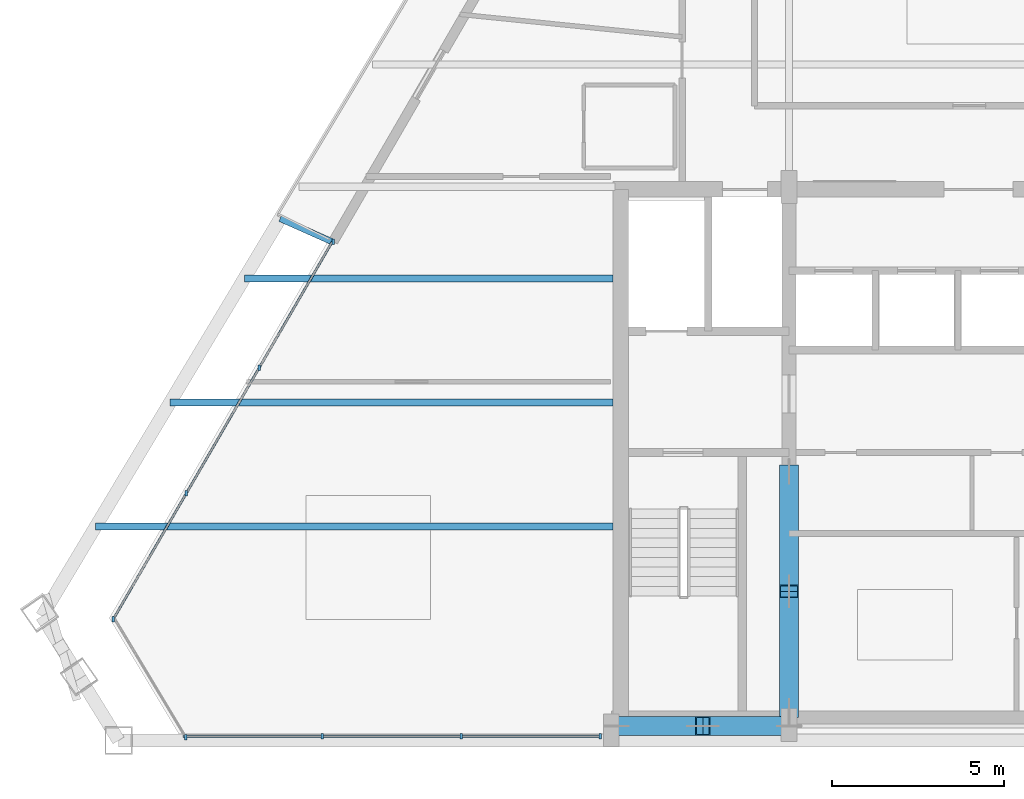
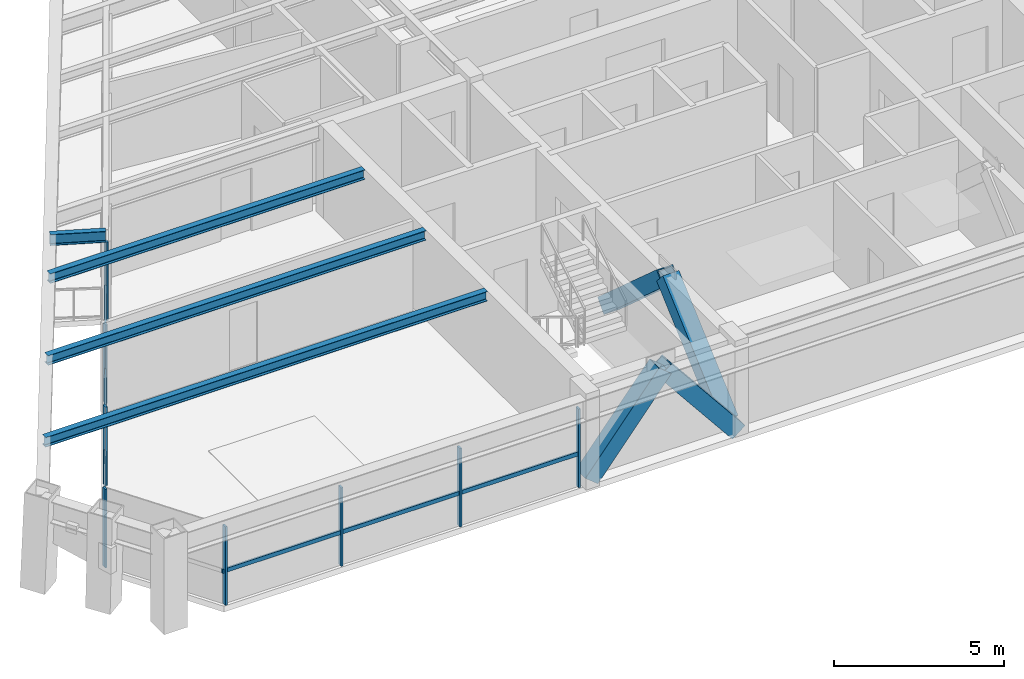
# One storey, part 2 of 13: 18 members, 4 beams, 3 elements without a shape of their own.
"""IFC4 building model written with IfcOpenShell, lengths in metres."""

from ifc_helpers import new_model, si_unit, direction, frame, origin, origin_2d, place, context, subcontext, project, spatial, rectangle, hollow_rectangle, i_section, extrude, source, transform, mapped, material, material_profile, profile_set, type_object, element, aggregate, save


model = new_model("IFC4")

# Units and contexts
model_context = context("Model", 3, precision=1e-05, world=origin(), true_north=direction((0.0, 1.0)))
body_context = subcontext(model_context, "Body", "Model", "MODEL_VIEW")
ifc_project = project(units=[si_unit("LENGTHUNIT", "METRE"), si_unit("AREAUNIT", "SQUARE_METRE"), si_unit("VOLUMEUNIT", "CUBIC_METRE"), si_unit("PLANEANGLEUNIT", "RADIAN"), si_unit("MASSUNIT", "GRAM", prefix="KILO")], contexts=[model_context])

# Site, building, storey
site_placement = place(None, origin())
site = spatial("IfcSite", under=ifc_project, at=site_placement, CompositionType="ELEMENT")
building_placement = place(site_placement, origin())
building = spatial("IfcBuilding", under=site, at=building_placement, Name="Varnakhor Terracotta Tower", CompositionType="ELEMENT")
storey_placement = place(building_placement, frame((0.0, 0.0, 266.10009765625)))
storey = spatial("IfcBuildingStorey", under=building, at=storey_placement, Name="L69", CompositionType="ELEMENT", Elevation=266.10009765625)

# Members
ifc_material_1 = material(Name="Steel S355", Category="steel")
ifc_material_profile_1 = material_profile(ifc_material_1, hollow_rectangle(XDim=0.550048828125, YDim=0.550048828125, WallThickness=0.034912109375, at=origin_2d()), Name="HSS550X550X35")
ifc_profile_set_1 = profile_set([ifc_material_profile_1], Name="Steel S355")
member_type_1 = type_object("IfcMemberType", Name="MBR-MEGA-550", PredefinedType="BRACE", material=ifc_profile_set_1)
shared_shape_1 = source(origin(), body_context, "Body", "SweptSolid", [
    extrude(hollow_rectangle(XDim=0.550048828125, YDim=0.550048828125, WallThickness=0.034912109375, at=origin_2d()), origin(), (0.0, 0.0, 1.0), 4.650146484375),
])
member_1_placement = place(storey_placement, frame((-5.5, 7.800048828125, 0.0), z_axis=(0.0, -0.747316617832, 0.664468112638), x_axis=(1.0, 0.0, 0.0)))
element("IfcMember", 1, at=member_1_placement, inside=storey, type_object=member_type_1, Name="L69 Core Coupled Brace CWWB", PredefinedType="BRACE", context=body_context, shape_type="MappedRepresentation", body=[
    mapped(shared_shape_1, transform((0.0, 0.0, 0.0), scale=1.0)),
])
shared_shape_2 = source(origin(), body_context, "Body", "SweptSolid", [
    extrude(hollow_rectangle(XDim=0.550048828125, YDim=0.550048828125, WallThickness=0.034912109375, at=origin_2d()), origin(), (0.0, 0.0, 1.0), 3.974609375),
])
for number, where, z_axis, x_axis, name in (
    (2, (-10.5, 0.419921875, 0.0), (0.629000299358, 0.0, 0.777405057488), (0.0, 1.0, 0.0), "L69 Core Coupled Brace CSWA"),
    (3, (-5.5, 0.419921875, 0.0), (-0.629000299358, 0.0, 0.777405057488), (0.0, -1.0, 0.0), "L69 Core Coupled Brace CSWB"),
):
    element("IfcMember", number, at=place(storey_placement, frame(where, z_axis=z_axis, x_axis=x_axis)), inside=storey, type_object=member_type_1, Name=name, PredefinedType="BRACE", context=body_context, shape_type="MappedRepresentation", body=[
        mapped(shared_shape_2, transform((0.0, 0.0, 0.0), scale=1.0)),
    ])
shared_shape_3 = source(origin(), body_context, "Body", "SweptSolid", [
    extrude(hollow_rectangle(XDim=0.550048828125, YDim=0.550048828125, WallThickness=0.034912109375, at=origin_2d()), origin(), (0.0, 0.0, 1.0), 4.64990234375),
])
member_2_placement = place(storey_placement, frame((-5.5, 0.85009765625, 0.0), z_axis=(0.0, 0.747293435799, 0.664494184182), x_axis=(-1.0, 0.0, 0.0)))
element("IfcMember", 4, at=member_2_placement, inside=storey, type_object=member_type_1, Name="L69 Core Coupled Brace CWWA", PredefinedType="BRACE", context=body_context, shape_type="MappedRepresentation", body=[
    mapped(shared_shape_3, transform((0.0, 0.0, 0.0), scale=1.0)),
])

# Beams
ifc_material_profile_2 = material_profile(ifc_material_1, i_section(OverallWidth=0.202880859375, OverallDepth=0.346923828125, WebThickness=0.0078125, FlangeThickness=0.013427734375, FilletRadius=0.01806640625, at=origin_2d()), Name="W14X43")
ifc_profile_set_2 = profile_set([ifc_material_profile_2], Name="Steel S355")
beam_type_1 = type_object("IfcBeamType", Name="JST-W14X43", PredefinedType="JOIST", material=ifc_profile_set_2)
shared_shape_4 = source(origin(), body_context, "Body", "SweptSolid", [
    extrude(i_section(OverallWidth=0.202880859375, OverallDepth=0.346923828125, WebThickness=0.0078125, FlangeThickness=0.013427734375, FilletRadius=0.01806640625, at=origin_2d()), origin(), (0.0, 0.0, 1.0), 15.001953125),
])
beam_1_placement = place(storey_placement, frame((-25.60205078125, 6.199951171875, 3.06640625), z_axis=(1.0, 0.0, 0.0), x_axis=(0.0, 1.0, 0.0)))
element("IfcBeam", 5, at=beam_1_placement, inside=storey, type_object=beam_type_1, Name="L69 Floor Joist W1", PredefinedType="JOIST", context=body_context, shape_type="MappedRepresentation", body=[
    mapped(shared_shape_4, transform((0.0, 0.0, 0.0), scale=1.0)),
])
shared_shape_5 = source(origin(), body_context, "Body", "SweptSolid", [
    extrude(i_section(OverallWidth=0.202880859375, OverallDepth=0.346923828125, WebThickness=0.0078125, FlangeThickness=0.013427734375, FilletRadius=0.01806640625, at=origin_2d()), origin(), (0.0, 0.0, 1.0), 12.845703125),
])
beam_2_placement = place(storey_placement, frame((-23.44580078125, 9.800048828125, 3.06640625), z_axis=(1.0, 0.0, 0.0), x_axis=(0.0, 1.0, 0.0)))
element("IfcBeam", 6, at=beam_2_placement, inside=storey, type_object=beam_type_1, Name="L69 Floor Joist W2", PredefinedType="JOIST", context=body_context, shape_type="MappedRepresentation", body=[
    mapped(shared_shape_5, transform((0.0, 0.0, 0.0), scale=1.0)),
])
shared_shape_6 = source(origin(), body_context, "Body", "SweptSolid", [
    extrude(i_section(OverallWidth=0.202880859375, OverallDepth=0.346923828125, WebThickness=0.0078125, FlangeThickness=0.013427734375, FilletRadius=0.01806640625, at=origin_2d()), origin(), (0.0, 0.0, 1.0), 10.689208984375),
])
beam_3_placement = place(storey_placement, frame((-21.289306640625, 13.39990234375, 3.06640625), z_axis=(1.0, 0.0, 0.0), x_axis=(0.0, 1.0, 0.0)))
element("IfcBeam", 7, at=beam_3_placement, inside=storey, type_object=beam_type_1, Name="L69 Floor Joist W3", PredefinedType="JOIST", context=body_context, shape_type="MappedRepresentation", body=[
    mapped(shared_shape_6, transform((0.0, 0.0, 0.0), scale=1.0)),
])

# Curtain wall, members
ifc_material_2 = material(Name="Anodised Aluminium Curtain Wall System", Category="aluminium")
curtain_wall_type = type_object("IfcCurtainWallType", Name="CW-SYS-HOTEL-LOGGIA", PredefinedType="NOTDEFINED", material=ifc_material_2)
curtain_wall_1_placement = place(storey_placement, origin())
curtain_wall_1 = element("IfcCurtainWall", 8, at=curtain_wall_1_placement, inside=storey, type_object=curtain_wall_type, Name="L69 W Facet Curtain Wall 1", PredefinedType="NOTDEFINED")
ifc_material_3 = material(Name="Anodised Aluminium 6063-T6", Category="aluminium")
ifc_material_profile_3 = material_profile(ifc_material_3, rectangle(XDim=0.06494140625, YDim=0.159912109375, at=origin_2d()), Name="ALU MULLION 65x160")
ifc_profile_set_3 = profile_set([ifc_material_profile_3], Name="Anodised Aluminium 6063-T6")
member_type_2 = type_object("IfcMemberType", Name="CWM-04", PredefinedType="MULLION", material=ifc_profile_set_3)
shared_shape_7 = source(origin(), body_context, "Body", "SweptSolid", [
    extrude(rectangle(XDim=0.06494140625, YDim=0.159912109375, at=origin_2d()), origin(), (0.0, 0.0, 1.0), 2.81982421875),
])
member_3_placement = place(storey_placement, frame((-25.088134765625, 3.517822265625, 0.0), z_axis=(0.0, 0.0, 1.0), x_axis=(1.0, 0.0, 0.0)))
member_3 = element("IfcMember", 9, at=member_3_placement, type_object=member_type_2, Name="L69 W Facet Curtain Wall 1 Mullion 1", PredefinedType="MULLION", context=body_context, shape_type="MappedRepresentation", body=[
    mapped(shared_shape_7, transform((0.0, 0.0, 0.0), scale=1.0)),
])
member_4_placement = place(storey_placement, frame((-22.973876953125, 7.161865234375, 0.0), z_axis=(0.0, 0.0, 1.0), x_axis=(1.0, 0.0, 0.0)))
member_4 = element("IfcMember", 10, at=member_4_placement, type_object=member_type_2, Name="L69 W Facet Curtain Wall 1 Mullion 2", PredefinedType="MULLION", context=body_context, shape_type="MappedRepresentation", body=[
    mapped(shared_shape_7, transform((0.0, 0.0, 0.0), scale=1.0)),
])
member_5_placement = place(storey_placement, frame((-20.859619140625, 10.805908203125, 0.0), z_axis=(0.0, 0.0, 1.0), x_axis=(1.0, 0.0, 0.0)))
member_5 = element("IfcMember", 11, at=member_5_placement, type_object=member_type_2, Name="L69 W Facet Curtain Wall 1 Mullion 3", PredefinedType="MULLION", context=body_context, shape_type="MappedRepresentation", body=[
    mapped(shared_shape_7, transform((0.0, 0.0, 0.0), scale=1.0)),
])
member_6_placement = place(storey_placement, frame((-18.713134765625, 14.466064453125, 0.0), z_axis=(0.0, 0.0, 1.0), x_axis=(1.0, 0.0, 0.0)))
member_6 = element("IfcMember", 12, at=member_6_placement, type_object=member_type_2, Name="L69 W Loggia Jamb Closure Mullion 1", PredefinedType="MULLION", context=body_context, shape_type="MappedRepresentation", body=[
    mapped(shared_shape_7, transform((0.0, 0.0, 0.0), scale=1.0)),
])

curtain_wall_2_placement = place(storey_placement, origin())
curtain_wall_2 = element("IfcCurtainWall", 13, at=curtain_wall_2_placement, inside=storey, type_object=curtain_wall_type, Name="L69 South Wing Curtain Wall SSW", PredefinedType="NOTDEFINED")
member_7_placement = place(storey_placement, frame((-10.969970703125, 0.1201171875, 0.0), z_axis=(0.0, 0.0, 1.0), x_axis=(1.0, 0.0, 0.0)))
member_7 = element("IfcMember", 14, at=member_7_placement, type_object=member_type_2, Name="L69 South Wing Curtain Wall SSW Mullion 1", PredefinedType="MULLION", context=body_context, shape_type="MappedRepresentation", body=[
    mapped(shared_shape_7, transform((0.0, 0.0, 0.0), scale=1.0)),
])
member_8_placement = place(storey_placement, frame((-15.001708984375, 0.1201171875, 0.0), z_axis=(0.0, 0.0, 1.0), x_axis=(1.0, 0.0, 0.0)))
member_8 = element("IfcMember", 15, at=member_8_placement, type_object=member_type_2, Name="L69 South Wing Curtain Wall SSW Mullion 2", PredefinedType="MULLION", context=body_context, shape_type="MappedRepresentation", body=[
    mapped(shared_shape_7, transform((0.0, 0.0, 0.0), scale=1.0)),
])
member_9_placement = place(storey_placement, frame((-19.033203125, 0.1201171875, 0.0), z_axis=(0.0, 0.0, 1.0), x_axis=(1.0, 0.0, 0.0)))
member_9 = element("IfcMember", 16, at=member_9_placement, type_object=member_type_2, Name="L69 South Wing Curtain Wall SSW Mullion 3", PredefinedType="MULLION", context=body_context, shape_type="MappedRepresentation", body=[
    mapped(shared_shape_7, transform((0.0, 0.0, 0.0), scale=1.0)),
])

# Curtain wall, member
curtain_wall_3_placement = place(storey_placement, origin())
curtain_wall_3 = element("IfcCurtainWall", 17, at=curtain_wall_3_placement, inside=storey, type_object=curtain_wall_type, Name="L69 Facet Curtain Wall 6", PredefinedType="NOTDEFINED")
member_10_placement = place(storey_placement, frame((-22.987548828125, 0.08740234375, 0.0), z_axis=(0.0, 0.0, 1.0), x_axis=(1.0, 0.0, 0.0)))
member_10 = element("IfcMember", 18, at=member_10_placement, type_object=member_type_2, Name="L69 Facet Curtain Wall 6 Mullion 1", PredefinedType="MULLION", context=body_context, shape_type="MappedRepresentation", body=[
    mapped(shared_shape_7, transform((0.0, 0.0, 0.0), scale=1.0)),
])
aggregate(curtain_wall_3, [member_10])

# Member
ifc_material_profile_4 = material_profile(ifc_material_3, rectangle(XDim=0.06494140625, YDim=0.14501953125, at=origin_2d()), Name="ALU TRANSOM 65x145")
ifc_profile_set_4 = profile_set([ifc_material_profile_4], Name="Anodised Aluminium 6063-T6")
member_type_3 = type_object("IfcMemberType", Name="CWT-04", PredefinedType="USERDEFINED", material=ifc_profile_set_4)
shared_shape_8 = source(origin(), body_context, "Body", "SweptSolid", [
    extrude(rectangle(XDim=0.06494140625, YDim=0.14501953125, at=origin_2d()), origin(), (0.0, 0.0, 1.0), 4.212890625),
])
member_11_placement = place(storey_placement, frame((-25.088134765625, 3.517822265625, 1.184326171875), z_axis=(0.501844703093, 0.864957741151, 0.0), x_axis=(-0.864957741151, 0.501844703093, 0.0)))
member_11 = element("IfcMember", 19, at=member_11_placement, type_object=member_type_3, Name="L69 W Facet Curtain Wall 1 Transom 1", ObjectType="TRANSOM", PredefinedType="USERDEFINED", context=body_context, shape_type="MappedRepresentation", body=[
    mapped(shared_shape_8, transform((0.0, 0.0, 0.0), scale=1.0)),
])

member_12_placement = place(storey_placement, frame((-22.973876953125, 7.161865234375, 1.184326171875), z_axis=(0.501844703093, 0.864957741151, 0.0), x_axis=(-0.864957741151, 0.501844703093, 0.0)))
member_12 = element("IfcMember", 20, at=member_12_placement, type_object=member_type_3, Name="L69 W Facet Curtain Wall 1 Transom 2", ObjectType="TRANSOM", PredefinedType="USERDEFINED", context=body_context, shape_type="MappedRepresentation", body=[
    mapped(shared_shape_8, transform((0.0, 0.0, 0.0), scale=1.0)),
])

shared_shape_9 = source(origin(), body_context, "Body", "SweptSolid", [
    extrude(rectangle(XDim=0.06494140625, YDim=0.14501953125, at=origin_2d()), origin(), (0.0, 0.0, 1.0), 4.213134765625),
])
member_13_placement = place(storey_placement, frame((-20.859619140625, 10.805908203125, 1.184326171875), z_axis=(0.501776193257, 0.864997486632, 0.0), x_axis=(-0.864997486632, 0.501776193257, 0.0)))
member_13 = element("IfcMember", 21, at=member_13_placement, type_object=member_type_3, Name="L69 W Facet Curtain Wall 1 Transom 3", ObjectType="TRANSOM", PredefinedType="USERDEFINED", context=body_context, shape_type="MappedRepresentation", body=[
    mapped(shared_shape_9, transform((0.0, 0.0, 0.0), scale=1.0)),
])

aggregate(curtain_wall_1, [member_3, member_11, member_4, member_12, member_5, member_13, member_6])

shared_shape_10 = source(origin(), body_context, "Body", "SweptSolid", [
    extrude(rectangle(XDim=0.06494140625, YDim=0.14501953125, at=origin_2d()), origin(), (0.0, 0.0, 1.0), 4.03173828125),
])
member_14_placement = place(storey_placement, frame((-10.969970703125, 0.1201171875, 1.184326171875), z_axis=(-1.0, 0.0, 0.0), x_axis=(0.0, -1.0, 0.0)))
member_14 = element("IfcMember", 22, at=member_14_placement, type_object=member_type_3, Name="L69 South Wing Curtain Wall SSW Transom 1", ObjectType="TRANSOM", PredefinedType="USERDEFINED", context=body_context, shape_type="MappedRepresentation", body=[
    mapped(shared_shape_10, transform((0.0, 0.0, 0.0), scale=1.0)),
])

member_15_placement = place(storey_placement, frame((-19.033203125, 0.1201171875, 1.184326171875), z_axis=(-1.0, 0.0, 0.0), x_axis=(0.0, -1.0, 0.0)))
member_15 = element("IfcMember", 23, at=member_15_placement, type_object=member_type_3, Name="L69 South Wing Curtain Wall SSW Transom 3", ObjectType="TRANSOM", PredefinedType="USERDEFINED", context=body_context, shape_type="MappedRepresentation", body=[
    mapped(shared_shape_10, transform((0.0, 0.0, 0.0), scale=1.0)),
])

shared_shape_11 = source(origin(), body_context, "Body", "SweptSolid", [
    extrude(rectangle(XDim=0.06494140625, YDim=0.14501953125, at=origin_2d()), origin(), (0.0, 0.0, 1.0), 4.031494140625),
])
member_16_placement = place(storey_placement, frame((-15.001708984375, 0.1201171875, 1.184326171875), z_axis=(-1.0, 0.0, 0.0), x_axis=(0.0, -1.0, 0.0)))
member_16 = element("IfcMember", 24, at=member_16_placement, type_object=member_type_3, Name="L69 South Wing Curtain Wall SSW Transom 2", ObjectType="TRANSOM", PredefinedType="USERDEFINED", context=body_context, shape_type="MappedRepresentation", body=[
    mapped(shared_shape_11, transform((0.0, 0.0, 0.0), scale=1.0)),
])

aggregate(curtain_wall_2, [member_7, member_14, member_8, member_16, member_9, member_15])

# Beam
ifc_material_profile_5 = material_profile(ifc_material_1, i_section(OverallWidth=0.179931640625, OverallDepth=0.39990234375, WebThickness=0.008544921875, FlangeThickness=0.013427734375, FilletRadius=0.01806640625, at=origin_2d()), Name="IPE400")
ifc_profile_set_5 = profile_set([ifc_material_profile_5], Name="Steel S355")
beam_type_2 = type_object("IfcBeamType", Name="JST-IPE400", PredefinedType="JOIST", material=ifc_profile_set_5)
shared_shape_12 = source(origin(), body_context, "Body", "SweptSolid", [
    extrude(i_section(OverallWidth=0.179931640625, OverallDepth=0.39990234375, WebThickness=0.008544921875, FlangeThickness=0.013427734375, FilletRadius=0.01806640625, at=origin_2d()), origin(), (0.0, 0.0, 1.0), 1.653564453125),
])
beam_4_placement = place(storey_placement, frame((-18.742431640625, 14.456787109375, 3.039794921875), z_axis=(-0.913012220539, 0.407932206557, 0.0), x_axis=(-0.407932206557, -0.913012220539, 0.0)))
element("IfcBeam", 25, at=beam_4_placement, inside=storey, type_object=beam_type_2, Name="L70 W Loggia Tie Beam 1", PredefinedType="JOIST", context=body_context, shape_type="MappedRepresentation", body=[
    mapped(shared_shape_12, transform((0.0, 0.0, 0.0), scale=1.0)),
])

save(model, "model.ifc")
